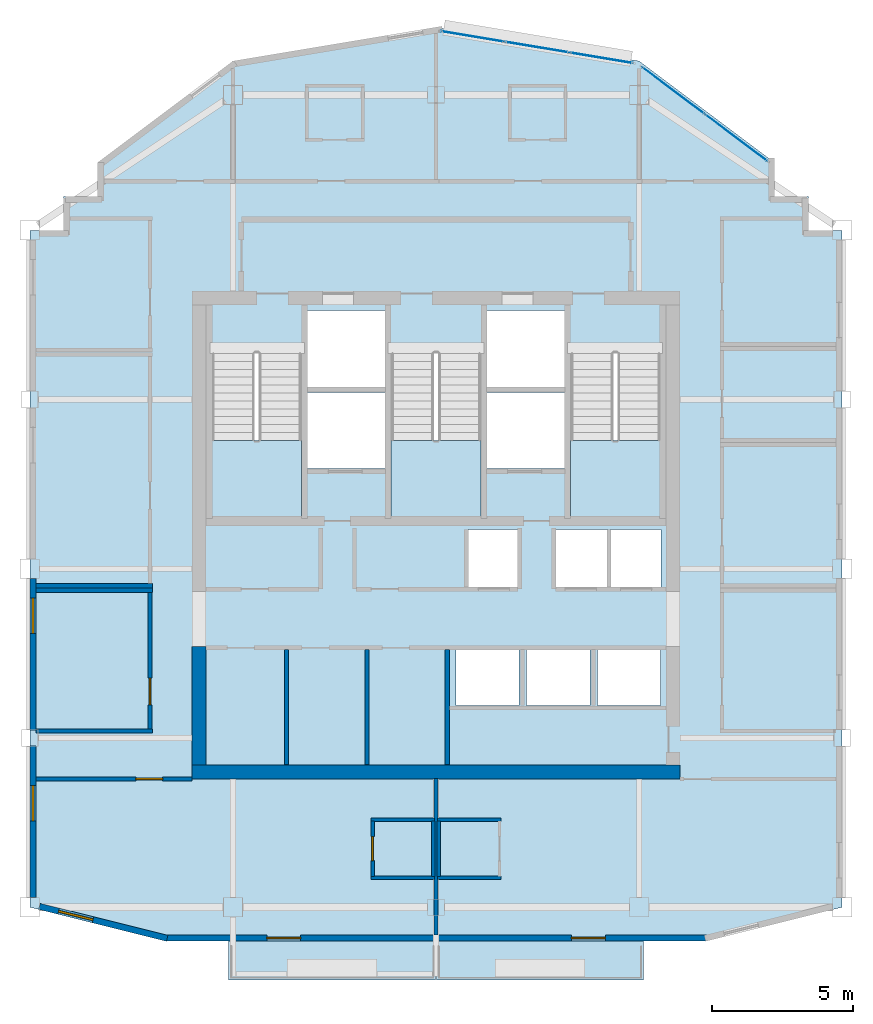
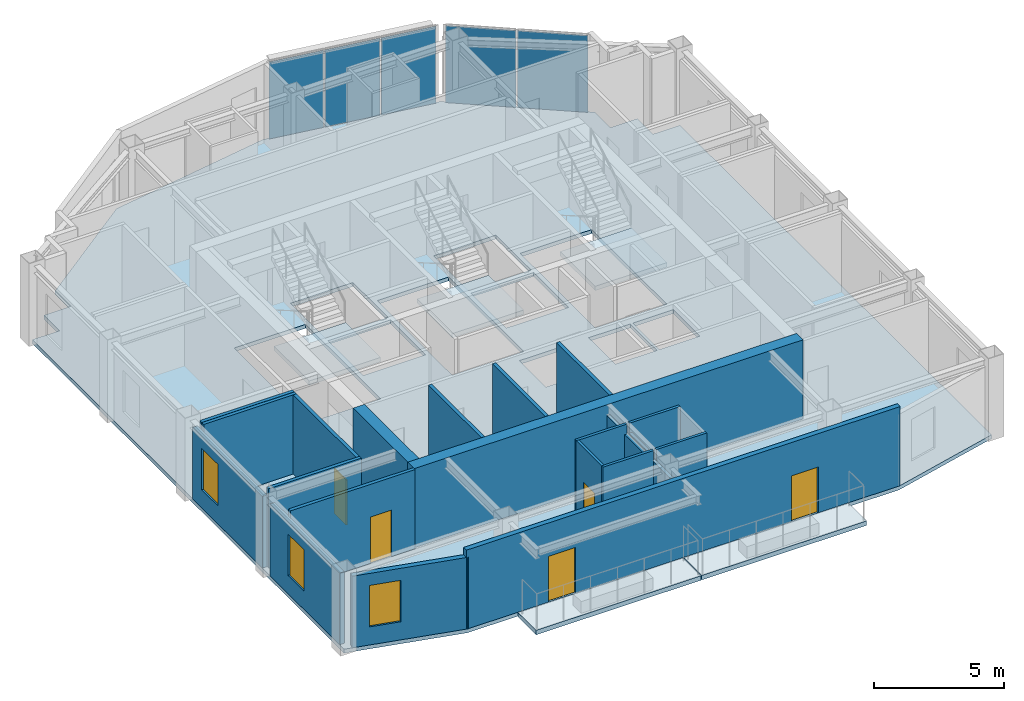
# One storey, part 4 of 10: 22 walls, 6 slabs, 5 doors, 5 plates, 3 windows, 8 openings, 5 elements without a shape of their own.
"""IFC4 building model written with IfcOpenShell, lengths in metres."""

from ifc_helpers import new_model, si_unit, direction, frame, frame_2d, origin, origin_2d, place, context, subcontext, project, spatial, polyline, rectangle, outline, extrude, material, layer, layer_set, type_object, element, fill, aggregate, save


model = new_model("IFC4")

# Units and contexts
model_context = context("Model", 3, precision=1e-05, world=origin(), true_north=direction((0.0, 1.0)))
body_context = subcontext(model_context, "Body", "Model", "MODEL_VIEW")
ifc_project = project(units=[si_unit("LENGTHUNIT", "METRE"), si_unit("AREAUNIT", "SQUARE_METRE"), si_unit("VOLUMEUNIT", "CUBIC_METRE"), si_unit("PLANEANGLEUNIT", "RADIAN"), si_unit("MASSUNIT", "GRAM", prefix="KILO")], contexts=[model_context])

# Site, building, storey
site_placement = place(None, origin())
site = spatial("IfcSite", under=ifc_project, at=site_placement, CompositionType="ELEMENT")
building_placement = place(site_placement, origin())
building = spatial("IfcBuilding", under=site, at=building_placement, Name="Haolan Belvedere Tower", CompositionType="ELEMENT")
storey_placement = place(building_placement, frame((0.0, 0.0, 286.10009765625)))
storey = spatial("IfcBuildingStorey", under=building, at=storey_placement, Name="L72", CompositionType="ELEMENT", Elevation=286.10009765625)

# Curtain wall, plates
ifc_material_1 = material(Name="Anodised champagne-silver aluminium 6063-T6 and Low-E glass", Category="aluminium")
ifc_layer_1 = layer(ifc_material_1, 0.14501953125, Name="Anodised champagne-silver aluminium 6063-T6 and Low-E glass")
ifc_layer_set_1 = layer_set([ifc_layer_1], Name="Anodised champagne-silver aluminium 6063-T6 and Low-E glass")
curtain_wall_type = type_object("IfcCurtainWallType", Name="CW-SYS-05", PredefinedType="NOTDEFINED", material=ifc_layer_set_1)
curtain_wall_1_placement = place(storey_placement, origin())
curtain_wall_1 = element("IfcCurtainWall", 1, at=curtain_wall_1_placement, inside=storey, type_object=curtain_wall_type, Name="L72 CW-SYS-05 ribbon curtain wall 8.1", PredefinedType="NOTDEFINED")
ifc_material_2 = material(Name="Double silver Low-E laminated insulating glass", Category="glass")
ifc_layer_2 = layer(ifc_material_2, 0.02197265625, Name="Double silver Low-E laminated insulating glass")
ifc_layer_set_2 = layer_set([ifc_layer_2], Name="Double silver Low-E laminated insulating glass")
plate_type = type_object("IfcPlateType", Name="CW-SYS-05-PNL", PredefinedType="CURTAIN_PANEL", material=ifc_layer_set_2)
plate_1_placement = place(storey_placement, frame((49.03955078125, 48.8828125, 0.0498046875), z_axis=(0.0, 0.0, 1.0), x_axis=(-0.799997871638, 0.600002837806, 0.0)))
plate_1 = element("IfcPlate", 2, at=plate_1_placement, type_object=plate_type, Name="CW-05 panel 1.1", PredefinedType="CURTAIN_PANEL", context=body_context, shape_type="SweptSolid", body=[
    extrude(rectangle(XDim=2.738037109375, YDim=0.02197265625, at=origin_2d()), origin(), (0.0, 0.0, 1.0), 3.6201171875),
])
plate_2_placement = place(storey_placement, frame((46.805908203125, 50.55810546875, 0.0498046875), z_axis=(0.0, 0.0, 1.0), x_axis=(-0.799997871638, 0.600002837806, 0.0)))
plate_2 = element("IfcPlate", 3, at=plate_2_placement, type_object=plate_type, Name="CW-05 panel 2.1", PredefinedType="CURTAIN_PANEL", context=body_context, shape_type="SweptSolid", body=[
    extrude(rectangle(XDim=2.738037109375, YDim=0.02197265625, at=origin_2d()), origin(), (0.0, 0.0, 1.0), 3.6201171875),
])
aggregate(curtain_wall_1, [plate_1, plate_2])

curtain_wall_2_placement = place(storey_placement, origin())
curtain_wall_2 = element("IfcCurtainWall", 4, at=curtain_wall_2_placement, inside=storey, type_object=curtain_wall_type, Name="L72 CW-SYS-05 ribbon curtain wall 9.1", PredefinedType="NOTDEFINED")
plate_3_placement = place(storey_placement, frame((44.257568359375, 51.712158203125, 0.0498046875), z_axis=(0.0, 0.0, 1.0), x_axis=(-0.98639276122, 0.164405962825, 0.0)))
plate_3 = element("IfcPlate", 5, at=plate_3_placement, type_object=plate_type, Name="CW-05 panel 1.1", PredefinedType="CURTAIN_PANEL", context=body_context, shape_type="SweptSolid", body=[
    extrude(rectangle(XDim=2.24365234375, YDim=0.02197265625, at=origin_2d()), origin(), (0.0, 0.0, 1.0), 3.6201171875),
])
plate_4_placement = place(storey_placement, frame((41.977783203125, 52.09228515625, 0.0498046875), z_axis=(0.0, 0.0, 1.0), x_axis=(-0.98639276122, 0.164405962825, 0.0)))
plate_4 = element("IfcPlate", 6, at=plate_4_placement, type_object=plate_type, Name="CW-05 panel 2.1", PredefinedType="CURTAIN_PANEL", context=body_context, shape_type="SweptSolid", body=[
    extrude(rectangle(XDim=2.270751953125, YDim=0.02197265625, at=origin_2d()), origin(), (0.0, 0.0, 1.0), 3.6201171875),
])
plate_5_placement = place(storey_placement, frame((39.697998046875, 52.47216796875, 0.0498046875), z_axis=(0.0, 0.0, 1.0), x_axis=(-0.98639276122, 0.164405962825, 0.0)))
plate_5 = element("IfcPlate", 7, at=plate_5_placement, type_object=plate_type, Name="CW-05 panel 3.1", PredefinedType="CURTAIN_PANEL", context=body_context, shape_type="SweptSolid", body=[
    extrude(rectangle(XDim=2.24365234375, YDim=0.02197265625, at=origin_2d()), origin(), (0.0, 0.0, 1.0), 3.6201171875),
])
aggregate(curtain_wall_2, [plate_3, plate_4, plate_5])

# Slabs
ifc_material_3 = material(Name="Concrete C40/50", Category="concrete")
ifc_layer_3 = layer(ifc_material_3, 0.2099609375, Name="Concrete C40/50")
ifc_layer_set_3 = layer_set([ifc_layer_3], Name="Concrete C40/50")
slab_type_1 = type_object("IfcSlabType", Name="SL-BAL-210", PredefinedType="FLOOR", material=ifc_layer_set_3)
slab_1_placement = place(storey_placement, frame((0.0, 0.0, -0.22998046875)))
element("IfcSlab", 8, at=slab_1_placement, inside=storey, type_object=slab_type_1, Name="L72 structural tree-planter balcony slab BAL-L72-S1", PredefinedType="FLOOR", context=body_context, shape_type="SweptSolid", body=[
    extrude(outline(polyline([(31.050048828125, 19.02001953125), (38.3798828125, 19.02001953125), (38.3798828125, 20.39990234375), (31.050048828125, 20.39990234375), (31.050048828125, 19.02001953125)])), origin(), (0.0, 0.0, 1.0), 0.2099609375),
])
slab_2_placement = place(storey_placement, frame((0.0, 0.0, -0.22998046875)))
element("IfcSlab", 9, at=slab_2_placement, inside=storey, type_object=slab_type_1, Name="L72 structural tree-planter balcony slab BAL-L72-S2", PredefinedType="FLOOR", context=body_context, shape_type="SweptSolid", body=[
    extrude(outline(polyline([(38.419921875, 19.02001953125), (45.75, 19.02001953125), (45.75, 20.39990234375), (38.419921875, 20.39990234375), (38.419921875, 19.02001953125)])), origin(), (0.0, 0.0, 1.0), 0.2099609375),
])
ifc_layer_4 = layer(ifc_material_3, 0.179931640625, Name="Concrete C40/50")
ifc_layer_set_4 = layer_set([ifc_layer_4], Name="Concrete C40/50")
slab_type_2 = type_object("IfcSlabType", Name="SL-FLR-180", PredefinedType="FLOOR", material=ifc_layer_set_4)
slab_3_placement = place(storey_placement, frame((0.0, 0.0, -0.18017578125)))
element("IfcSlab", 10, at=slab_3_placement, inside=storey, type_object=slab_type_2, Name="L72 structural floor slab", PredefinedType="FLOOR", context=body_context, shape_type="SweptSolid", body=[
    extrude(outline(polyline([(24.0, 21.60009765625), (28.800048828125, 20.39990234375), (48.0, 20.39990234375), (52.800048828125, 21.60009765625), (52.800048828125, 45.60009765625), (52.800048828125, 45.60009765625), (51.60009765625, 45.60009765625), (51.60009765625, 46.800048828125), (50.39990234375, 46.800048828125), (50.39990234375, 48.0), (45.60009765625, 51.60009765625), (38.39990234375, 52.800048828125), (31.199951171875, 51.60009765625), (26.39990234375, 48.0), (26.39990234375, 46.800048828125), (25.199951171875, 46.800048828125), (25.199951171875, 45.60009765625), (24.0, 45.60009765625), (24.0, 45.60009765625), (24.0, 21.60009765625)]), holes=[polyline([(30.449951171875, 41.22998046875), (30.449951171875, 35.449951171875), (33.6298828125, 35.449951171875), (33.6298828125, 41.22998046875), (30.449951171875, 41.22998046875)]), polyline([(36.81005859375, 41.22998046875), (36.81005859375, 35.449951171875), (39.989990234375, 35.449951171875), (39.989990234375, 41.22998046875), (36.81005859375, 41.22998046875)]), polyline([(43.169921875, 41.22998046875), (43.169921875, 35.449951171875), (46.35009765625, 35.449951171875), (46.35009765625, 41.22998046875), (43.169921875, 41.22998046875)]), polyline([(33.830078125, 40.050048828125), (36.610107421875, 40.050048828125), (36.610107421875, 42.75), (33.830078125, 42.75), (33.830078125, 40.050048828125)]), polyline([(33.830078125, 37.14990234375), (36.610107421875, 37.14990234375), (36.610107421875, 39.85009765625), (33.830078125, 39.85009765625), (33.830078125, 37.14990234375)]), polyline([(40.18994140625, 40.050048828125), (42.969970703125, 40.050048828125), (42.969970703125, 42.75), (40.18994140625, 42.75), (40.18994140625, 40.050048828125)]), polyline([(40.18994140625, 37.14990234375), (42.969970703125, 37.14990234375), (42.969970703125, 39.85009765625), (40.18994140625, 39.85009765625), (40.18994140625, 37.14990234375)]), polyline([(39.5400390625, 32.949951171875), (41.389892578125, 32.949951171875), (41.389892578125, 35.0), (39.5400390625, 35.0), (39.5400390625, 32.949951171875)]), polyline([(42.6201171875, 32.949951171875), (44.469970703125, 32.949951171875), (44.469970703125, 35.0), (42.6201171875, 35.0), (42.6201171875, 32.949951171875)]), polyline([(44.580078125, 32.949951171875), (46.3798828125, 32.949951171875), (46.3798828125, 35.0), (44.580078125, 35.0), (44.580078125, 32.949951171875)]), polyline([(39.10009765625, 28.75), (41.340087890625, 28.75), (41.340087890625, 30.75), (39.10009765625, 30.75), (39.10009765625, 28.75)]), polyline([(41.610107421875, 28.75), (43.85009765625, 28.75), (43.85009765625, 30.75), (41.610107421875, 30.75), (41.610107421875, 28.75)]), polyline([(44.1201171875, 28.75), (46.360107421875, 28.75), (46.360107421875, 30.75), (44.1201171875, 30.75), (44.1201171875, 28.75)])]), origin(), (0.0, 0.0, 1.0), 0.18017578125),
])

# Stair, slab
stair_type = type_object("IfcStairType", Name="STR-DL-24R-162", PredefinedType="HALF_TURN_STAIR", material=ifc_material_3)
stair_1_placement = place(storey_placement, origin())
stair_1 = element("IfcStair", 11, at=stair_1_placement, inside=storey, type_object=stair_type, Name="L72 Smokeproof Core Exit Stair ST1", PredefinedType="HALF_TURN_STAIR")
ifc_layer_5 = layer(ifc_material_3, 0.199951171875, Name="Concrete C40/50")
ifc_layer_set_5 = layer_set([ifc_layer_5], Name="Concrete C40/50")
slab_type_3 = type_object("IfcSlabType", Name="SL-LAND-200", PredefinedType="LANDING", material=ifc_layer_set_5)
slab_4_placement = place(storey_placement, frame((0.0, 0.0, 1.75)))
slab_4 = element("IfcSlab", 12, at=slab_4_placement, type_object=slab_type_3, Name="ST1 landing 1", PredefinedType="LANDING", context=body_context, shape_type="SweptSolid", body=[
    extrude(outline(polyline([(30.449951171875, 38.14990234375), (30.449951171875, 35.449951171875), (33.6298828125, 35.449951171875), (33.6298828125, 38.14990234375), (30.449951171875, 38.14990234375)])), origin(), (0.0, 0.0, 1.0), 0.199951171875),
])
aggregate(stair_1, [slab_4])

stair_2_placement = place(storey_placement, origin())
stair_2 = element("IfcStair", 13, at=stair_2_placement, inside=storey, type_object=stair_type, Name="L72 Smokeproof Core Exit Stair ST3", PredefinedType="HALF_TURN_STAIR")
slab_5_placement = place(storey_placement, frame((0.0, 0.0, 1.75)))
slab_5 = element("IfcSlab", 14, at=slab_5_placement, type_object=slab_type_3, Name="ST3 landing 1", PredefinedType="LANDING", context=body_context, shape_type="SweptSolid", body=[
    extrude(outline(polyline([(36.81005859375, 38.14990234375), (36.81005859375, 35.449951171875), (39.989990234375, 35.449951171875), (39.989990234375, 38.14990234375), (36.81005859375, 38.14990234375)])), origin(), (0.0, 0.0, 1.0), 0.199951171875),
])
aggregate(stair_2, [slab_5])

stair_3_placement = place(storey_placement, origin())
stair_3 = element("IfcStair", 15, at=stair_3_placement, inside=storey, type_object=stair_type, Name="L72 Smokeproof Core Exit Stair ST2", PredefinedType="HALF_TURN_STAIR")
slab_6_placement = place(storey_placement, frame((0.0, 0.0, 1.75)))
slab_6 = element("IfcSlab", 16, at=slab_6_placement, type_object=slab_type_3, Name="ST2 landing 1", PredefinedType="LANDING", context=body_context, shape_type="SweptSolid", body=[
    extrude(outline(polyline([(43.169921875, 38.14990234375), (43.169921875, 35.449951171875), (46.35009765625, 35.449951171875), (46.35009765625, 38.14990234375), (43.169921875, 38.14990234375)])), origin(), (0.0, 0.0, 1.0), 0.199951171875),
])
aggregate(stair_3, [slab_6])

# Walls
ifc_material_4 = material(Name="Concrete C50/60", Category="concrete")
ifc_layer_6 = layer(ifc_material_4, 0.5, Name="Concrete C50/60")
ifc_layer_set_6 = layer_set([ifc_layer_6], Name="Concrete C50/60")
wall_type_1 = type_object("IfcWallType", Name="WL-CORE-500", PredefinedType="SHEAR", material=ifc_layer_set_6)
wall_1_placement = place(storey_placement, frame((29.75, 26.39990234375, 0.0), z_axis=(0.0, 0.0, 1.0), x_axis=(1.0, 0.0, 0.0)))
element("IfcWall", 17, at=wall_1_placement, inside=storey, type_object=wall_type_1, Name="L72 central core south shear wall", PredefinedType="SHEAR", context=body_context, shape_type="SweptSolid", body=[
    extrude(rectangle(XDim=17.300048828125, YDim=0.5, at=frame_2d((8.64990234375, 0.0))), origin(), (0.0, 0.0, 1.0), 3.719970703125),
])
wall_2_placement = place(storey_placement, frame((30.0, 26.64990234375, 0.0), z_axis=(0.0, 0.0, 1.0), x_axis=(0.0, 1.0, 0.0)))
element("IfcWall", 18, at=wall_2_placement, inside=storey, type_object=wall_type_1, Name="L72 central core shear wall WS", PredefinedType="SHEAR", context=body_context, shape_type="SweptSolid", body=[
    extrude(rectangle(XDim=4.2001953125, YDim=0.5, at=frame_2d((2.10009765625, 0.0))), origin(), (0.0, 0.0, 1.0), 3.719970703125),
])

# Wall, openings, doors
ifc_material_5 = material(Name="Precast concrete C40/50", Category="concrete")
ifc_layer_7 = layer(ifc_material_5, 0.219970703125, Name="Precast concrete C40/50")
ifc_layer_set_7 = layer_set([ifc_layer_7], Name="Precast concrete C40/50")
wall_type_2 = type_object("IfcWallType", Name="WL-EXT-220", PredefinedType="SOLIDWALL", material=ifc_layer_set_7)
wall_3_placement = place(storey_placement, frame((28.758544921875, 20.510009765625, 0.0), z_axis=(0.0, 0.0, 1.0), x_axis=(1.0, 0.0, 0.0)))
wall_3 = element("IfcWall", 19, at=wall_3_placement, inside=storey, type_object=wall_type_2, Name="L72 pale-metal exterior spandrel wall 1.1", PredefinedType="SOLIDWALL", context=body_context, shape_type="SweptSolid", body=[
    extrude(rectangle(XDim=19.282958984375, YDim=0.219970703125, at=frame_2d((9.6416015625, 0.0))), origin(), (0.0, 0.0, 1.0), 3.719970703125),
])
opening_1_placement = place(wall_3_placement, frame((4.841552734375, 0.0, 0.0), z_axis=(0.0, 0.0, 1.0), x_axis=(-1.0, 0.0, 0.0)))
opening_1 = element("IfcOpeningElement", 20, at=opening_1_placement, cuts=wall_3, Name="Opening BD-01", PredefinedType="OPENING", context=body_context, shape_type="SweptSolid", body=[
    extrude(rectangle(XDim=1.199951171875, YDim=2.14990234375, at=frame_2d((0.60009765625, 1.074951171875))), frame((0.0, 0.119873046875, 0.0), z_axis=(0.0, -1.0, 0.0), x_axis=(1.0, 0.0, 0.0)), (0.0, 0.0, 1.0), 0.239990234375),
])
opening_2_placement = place(wall_3_placement, frame((15.641357421875, 0.0, 0.0), z_axis=(0.0, 0.0, 1.0), x_axis=(-1.0, 0.0, 0.0)))
opening_2 = element("IfcOpeningElement", 21, at=opening_2_placement, cuts=wall_3, Name="Opening BD-01", PredefinedType="OPENING", context=body_context, shape_type="SweptSolid", body=[
    extrude(rectangle(XDim=1.199951171875, YDim=2.14990234375, at=frame_2d((0.60009765625, 1.074951171875))), frame((0.0, 0.119873046875, 0.0), z_axis=(0.0, -1.0, 0.0), x_axis=(1.0, 0.0, 0.0)), (0.0, 0.0, 1.0), 0.239990234375),
])
ifc_material_6 = material(Name="Thermally broken pale-metal aluminium and Low-E glass", Category="aluminium")
door_type_1 = type_object("IfcDoorType", Name="DR-BAL-1200", OperationType="NOTDEFINED", PredefinedType="DOOR", material=ifc_material_6)
door_1_placement = place(opening_1_placement, origin())
door_1 = element("IfcDoor", 22, at=door_1_placement, inside=storey, type_object=door_type_1, Name="L72 tree-balcony access door 1", OperationType="SINGLE_SWING_RIGHT", OverallHeight=2.14990234375, OverallWidth=1.199951171875, PredefinedType="DOOR", context=body_context, shape_type="SweptSolid", body=[
    extrude(rectangle(XDim=1.199951171875, YDim=2.14990234375, at=frame_2d((0.60009765625, 1.074951171875))), frame((0.0, 0.02490234375, 0.0), z_axis=(0.0, -1.0, 0.0), x_axis=(1.0, 0.0, 0.0)), (0.0, 0.0, 1.0), 0.050048828125),
])
fill(opening_1, door_1)
door_2_placement = place(opening_2_placement, origin())
door_2 = element("IfcDoor", 23, at=door_2_placement, inside=storey, type_object=door_type_1, Name="L72 tree-balcony access door 2", OperationType="SINGLE_SWING_LEFT", OverallHeight=2.14990234375, OverallWidth=1.199951171875, PredefinedType="DOOR", context=body_context, shape_type="SweptSolid", body=[
    extrude(rectangle(XDim=1.199951171875, YDim=2.14990234375, at=frame_2d((0.60009765625, 1.074951171875))), frame((0.0, 0.02490234375, 0.0), z_axis=(0.0, -1.0, 0.0), x_axis=(1.0, 0.0, 0.0)), (0.0, 0.0, 1.0), 0.050048828125),
])
fill(opening_2, door_2)

# Wall, opening, window
wall_4_placement = place(storey_placement, frame((24.110107421875, 33.258056640625, 0.0), z_axis=(0.0, 0.0, 1.0), x_axis=(0.0, -1.0, 0.0)))
wall_4 = element("IfcWall", 24, at=wall_4_placement, inside=storey, type_object=wall_type_2, Name="L72 pale-metal exterior spandrel wall 16.3", PredefinedType="SOLIDWALL", context=body_context, shape_type="SweptSolid", body=[
    extrude(rectangle(XDim=5.365966796875, YDim=0.219970703125, at=frame_2d((2.68310546875, 0.0))), origin(), (0.0, 0.0, 1.0), 3.364990234375),
])
opening_3_placement = place(wall_4_placement, frame((0.699951171875, 0.0, 0.85009765625)))
opening_3 = element("IfcOpeningElement", 25, at=opening_3_placement, cuts=wall_4, Name="Opening W-04", PredefinedType="OPENING", context=body_context, shape_type="SweptSolid", body=[
    extrude(rectangle(XDim=1.25, YDim=1.949951171875, at=frame_2d((0.625, 0.97509765625))), frame((0.0, 0.119873046875, 0.0), z_axis=(0.0, -1.0, 0.0), x_axis=(1.0, 0.0, 0.0)), (0.0, 0.0, 1.0), 0.239990234375),
])
ifc_material_7 = material(Name="Anodised aluminium 6063-T6 and Low-E glass", Category="aluminium")
window_type = type_object("IfcWindowType", Name="WN-DECO-Z4", PartitioningType="SINGLE_PANEL", PredefinedType="WINDOW", material=ifc_material_7)
window_1_placement = place(opening_3_placement, origin())
window_1 = element("IfcWindow", 26, at=window_1_placement, inside=storey, type_object=window_type, Name="L72 Art Deco chevron window 1", OverallHeight=1.949951171875, OverallWidth=1.25, PartitioningType="SINGLE_PANEL", PredefinedType="WINDOW", context=body_context, shape_type="SweptSolid", body=[
    extrude(rectangle(XDim=1.25, YDim=1.949951171875, at=frame_2d((0.625, 0.97509765625))), frame((0.0, 0.030029296875, 0.0), z_axis=(0.0, -1.0, 0.0), x_axis=(1.0, 0.0, 0.0)), (0.0, 0.0, 1.0), 0.06005859375),
])
fill(opening_3, window_1)

wall_5_placement = place(storey_placement, frame((24.110107421875, 27.30810546875, 0.0), z_axis=(0.0, 0.0, 1.0), x_axis=(0.0, -1.0, 0.0)))
wall_5 = element("IfcWall", 27, at=wall_5_placement, inside=storey, type_object=wall_type_2, Name="L72 pale-metal exterior spandrel wall 16.4", PredefinedType="SOLIDWALL", context=body_context, shape_type="SweptSolid", body=[
    extrude(rectangle(XDim=5.3662109375, YDim=0.219970703125, at=frame_2d((2.68310546875, 0.0))), origin(), (0.0, 0.0, 1.0), 3.364990234375),
])
opening_4_placement = place(wall_5_placement, frame((1.39306640625, 0.0, 0.85009765625)))
opening_4 = element("IfcOpeningElement", 28, at=opening_4_placement, cuts=wall_5, Name="Opening W-04", PredefinedType="OPENING", context=body_context, shape_type="SweptSolid", body=[
    extrude(rectangle(XDim=1.25, YDim=1.949951171875, at=frame_2d((0.625, 0.97509765625))), frame((0.0, 0.119873046875, 0.0), z_axis=(0.0, -1.0, 0.0), x_axis=(1.0, 0.0, 0.0)), (0.0, 0.0, 1.0), 0.239990234375),
])
window_2_placement = place(opening_4_placement, origin())
window_2 = element("IfcWindow", 29, at=window_2_placement, inside=storey, type_object=window_type, Name="L72 Art Deco chevron window 1", OverallHeight=1.949951171875, OverallWidth=1.25, PartitioningType="SINGLE_PANEL", PredefinedType="WINDOW", context=body_context, shape_type="SweptSolid", body=[
    extrude(rectangle(XDim=1.25, YDim=1.949951171875, at=frame_2d((0.625, 0.97509765625))), frame((0.0, 0.030029296875, 0.0), z_axis=(0.0, -1.0, 0.0), x_axis=(1.0, 0.0, 0.0)), (0.0, 0.0, 1.0), 0.06005859375),
])
fill(opening_4, window_2)

wall_6_placement = place(storey_placement, frame((24.342041015625, 21.6279296875, 0.0), z_axis=(0.0, 0.0, 1.0), x_axis=(0.970136341762, -0.242560257242, 0.0)))
wall_6 = element("IfcWall", 30, at=wall_6_placement, inside=storey, type_object=wall_type_2, Name="L72 pale-metal exterior spandrel wall 17.1", PredefinedType="SOLIDWALL", context=body_context, shape_type="SweptSolid", body=[
    extrude(rectangle(XDim=4.664306640625, YDim=0.219970703125, at=frame_2d((2.33203125, 0.0))), origin(), (0.0, 0.0, 1.0), 3.364990234375),
])
opening_5_placement = place(wall_6_placement, frame((0.699951171875, 0.0, 0.85009765625)))
opening_5 = element("IfcOpeningElement", 31, at=opening_5_placement, cuts=wall_6, Name="Opening W-04", PredefinedType="OPENING", context=body_context, shape_type="SweptSolid", body=[
    extrude(rectangle(XDim=1.25, YDim=1.949951171875, at=frame_2d((0.625, 0.97509765625))), frame((0.0, 0.119873046875, 0.0), z_axis=(0.0, -1.0, 0.0), x_axis=(1.0, 0.0, 0.0)), (0.0, 0.0, 1.0), 0.239990234375),
])
window_3_placement = place(opening_5_placement, origin())
window_3 = element("IfcWindow", 32, at=window_3_placement, inside=storey, type_object=window_type, Name="L72 Art Deco chevron window 1", OverallHeight=1.949951171875, OverallWidth=1.25, PartitioningType="SINGLE_PANEL", PredefinedType="WINDOW", context=body_context, shape_type="SweptSolid", body=[
    extrude(rectangle(XDim=1.25, YDim=1.949951171875, at=frame_2d((0.625, 0.97509765625))), frame((0.0, 0.030029296875, 0.0), z_axis=(0.0, -1.0, 0.0), x_axis=(1.0, 0.0, 0.0)), (0.0, 0.0, 1.0), 0.06005859375),
])
fill(opening_5, window_3)

# Walls
ifc_material_8 = material(Name="Double gypsum acoustic stud partition", Category="masonry")
ifc_layer_8 = layer(ifc_material_8, 0.14990234375, Name="Double gypsum acoustic stud partition")
ifc_layer_set_8 = layer_set([ifc_layer_8], Name="Double gypsum acoustic stud partition")
wall_type_3 = type_object("IfcWallType", Name="WL-PART-150", PredefinedType="PARTITIONING", material=ifc_layer_set_8)
for number, where, z_axis, x_axis, name in (
    (33, (33.10009765625, 26.659912109375, 0.0), (0.0, 0.0, 1.0), (0.0, 1.0, 0.0), "L72 interior partition IW-L72-DIV-REUSE-PM1"),
    (34, (35.949951171875, 26.659912109375, 0.0), (0.0, 0.0, 1.0), (0.0, 1.0, 0.0), "L72 interior partition IW-L72-DIV-REUSE-PM2"),
):
    element("IfcWall", number, at=place(storey_placement, frame(where, z_axis=z_axis, x_axis=x_axis)), inside=storey, type_object=wall_type_3, Name=name, PredefinedType="PARTITIONING", context=body_context, shape_type="SweptSolid", body=[
        extrude(rectangle(XDim=4.0751953125, YDim=0.14990234375, at=frame_2d((2.03759765625, 0.0))), origin(), (0.0, 0.0, 1.0), 3.719970703125),
    ])
for number, where, z_axis, x_axis, name in (
    (35, (24.2119140625, 33.0, 0.0), (0.0, 0.0, 1.0), (1.0, 0.0, 0.0), "L72 interior partition IW-L72-SAL-S"),
    (36, (24.2119140625, 32.840087890625, 0.0), (0.0, 0.0, 1.0), (1.0, 0.0, 0.0), "L72 interior partition IW-L72-PKTW-N"),
    (37, (24.2119140625, 27.85009765625, 0.0), (0.0, 0.0, 1.0), (1.0, 0.0, 0.0), "L72 interior partition IW-L72-PKTW-S"),
):
    element("IfcWall", number, at=place(storey_placement, frame(where, z_axis=z_axis, x_axis=x_axis)), inside=storey, type_object=wall_type_3, Name=name, PredefinedType="PARTITIONING", context=body_context, shape_type="SweptSolid", body=[
        extrude(rectangle(XDim=4.128173828125, YDim=0.14990234375, at=frame_2d((2.06396484375, 0.0))), origin(), (0.0, 0.0, 1.0), 3.719970703125),
    ])

# Wall, opening, door
wall_7_placement = place(storey_placement, frame((28.260009765625, 27.909912109375, 0.0), z_axis=(0.0, 0.0, 1.0), x_axis=(0.0, 1.0, 0.0)))
wall_7 = element("IfcWall", 38, at=wall_7_placement, inside=storey, type_object=wall_type_3, Name="L72 interior partition IW-L72-PKTW-E", PredefinedType="PARTITIONING", context=body_context, shape_type="SweptSolid", body=[
    extrude(rectangle(XDim=4.8701171875, YDim=0.14990234375, at=frame_2d((2.43505859375, 0.0))), origin(), (0.0, 0.0, 1.0), 3.719970703125),
])
opening_6_placement = place(wall_7_placement, frame((1.81005859375, 0.0, 0.0), z_axis=(0.0, 0.0, 1.0), x_axis=(-1.0, 0.0, 0.0)))
opening_6 = element("IfcOpeningElement", 39, at=opening_6_placement, cuts=wall_7, Name="Opening ID-03", PredefinedType="OPENING", context=body_context, shape_type="SweptSolid", body=[
    extrude(rectangle(XDim=0.949951171875, YDim=2.1201171875, at=frame_2d((0.47509765625, 1.06005859375))), frame((0.0, 0.0849609375, 0.0), z_axis=(0.0, -1.0, 0.0), x_axis=(1.0, 0.0, 0.0)), (0.0, 0.0, 1.0), 0.169921875),
])
ifc_material_9 = material(Name="Painted solid-core timber", Category="wood")
door_type_2 = type_object("IfcDoorType", Name="DR-INT-950", OperationType="NOTDEFINED", PredefinedType="DOOR", material=ifc_material_9)
door_3_placement = place(opening_6_placement, origin())
door_3 = element("IfcDoor", 40, at=door_3_placement, inside=storey, type_object=door_type_2, Name="L72 door ID-L72-PKTW", OperationType="SINGLE_SWING_LEFT", OverallHeight=2.1201171875, OverallWidth=0.949951171875, PredefinedType="DOOR", context=body_context, shape_type="SweptSolid", body=[
    extrude(rectangle(XDim=0.949951171875, YDim=2.1201171875, at=frame_2d((0.47509765625, 1.06005859375))), frame((0.0, 0.02490234375, 0.0), z_axis=(0.0, -1.0, 0.0), x_axis=(1.0, 0.0, 0.0)), (0.0, 0.0, 1.0), 0.050048828125),
])
fill(opening_6, door_3)

wall_8_placement = place(storey_placement, frame((24.2119140625, 26.14990234375, 0.0), z_axis=(0.0, 0.0, 1.0), x_axis=(1.0, 0.0, 0.0)))
wall_8 = element("IfcWall", 41, at=wall_8_placement, inside=storey, type_object=wall_type_3, Name="L72 interior partition IW-L72-KS1-N", PredefinedType="PARTITIONING", context=body_context, shape_type="SweptSolid", body=[
    extrude(rectangle(XDim=5.5361328125, YDim=0.14990234375, at=frame_2d((2.76806640625, 0.0))), origin(), (0.0, 0.0, 1.0), 3.719970703125),
])
opening_7_placement = place(wall_8_placement, frame((4.494873046875, 0.0, 0.0), z_axis=(0.0, 0.0, 1.0), x_axis=(-1.0, 0.0, 0.0)))
opening_7 = element("IfcOpeningElement", 42, at=opening_7_placement, cuts=wall_8, Name="Opening ID-01", PredefinedType="OPENING", context=body_context, shape_type="SweptSolid", body=[
    extrude(rectangle(XDim=0.949951171875, YDim=2.179931640625, at=frame_2d((0.47509765625, 1.08984375))), frame((0.0, 0.0849609375, 0.0), z_axis=(0.0, -1.0, 0.0), x_axis=(1.0, 0.0, 0.0)), (0.0, 0.0, 1.0), 0.169921875),
])
ifc_material_10 = material(Name="Acoustic walnut veneer fire-rated timber", Category="wood")
door_type_3 = type_object("IfcDoorType", Name="DR-SUITE-950", OperationType="NOTDEFINED", PredefinedType="DOOR", material=ifc_material_10)
door_4_placement = place(opening_7_placement, origin())
door_4 = element("IfcDoor", 43, at=door_4_placement, inside=storey, type_object=door_type_3, Name="L72 door ID-L72-KS1-ENT", OperationType="SINGLE_SWING_RIGHT", OverallHeight=2.179931640625, OverallWidth=0.949951171875, PredefinedType="DOOR", context=body_context, shape_type="SweptSolid", body=[
    extrude(rectangle(XDim=0.949951171875, YDim=2.179931640625, at=frame_2d((0.47509765625, 1.08984375))), frame((0.0, 0.02490234375, 0.0), z_axis=(0.0, -1.0, 0.0), x_axis=(1.0, 0.0, 0.0)), (0.0, 0.0, 1.0), 0.050048828125),
])
fill(opening_7, door_4)

# Walls
wall_9_placement = place(storey_placement, frame((38.39990234375, 20.612060546875, 0.0), z_axis=(0.0, 0.0, 1.0), x_axis=(0.0, 1.0, 0.0)))
element("IfcWall", 44, at=wall_9_placement, inside=storey, type_object=wall_type_3, Name="L72 interior partition IW-L72-KS1-E", PredefinedType="PARTITIONING", context=body_context, shape_type="SweptSolid", body=[
    extrude(rectangle(XDim=5.552978515625, YDim=0.14990234375, at=frame_2d((2.7763671875, 0.0))), origin(), (0.0, 0.0, 1.0), 3.204833984375),
])
ifc_material_11 = material(Name="Gypsum fire shaftwall assembly", Category="masonry")
ifc_layer_9 = layer(ifc_material_11, 0.1650390625, Name="Gypsum fire shaftwall assembly")
ifc_layer_set_9 = layer_set([ifc_layer_9], Name="Gypsum fire shaftwall assembly")
wall_type_4 = type_object("IfcWallType", Name="WL-SHAFT-160", PredefinedType="SOLIDWALL", material=ifc_layer_set_9)
wall_10_placement = place(storey_placement, frame((38.800048828125, 26.659912109375, 0.0), z_axis=(0.0, 0.0, 1.0), x_axis=(0.0, 1.0, 0.0)))
element("IfcWall", 45, at=wall_10_placement, inside=storey, type_object=wall_type_4, Name="L72 interior partition IW-L72-DIV-PM-OB", PredefinedType="SOLIDWALL", context=body_context, shape_type="SweptSolid", body=[
    extrude(rectangle(XDim=4.0751953125, YDim=0.14990234375, at=frame_2d((2.03759765625, 0.0))), origin(), (0.0, 0.0, 1.0), 3.719970703125),
])
ifc_material_12 = material(Name="Moisture-resistant gypsum tile partition", Category="masonry")
ifc_layer_10 = layer(ifc_material_12, 0.1201171875, Name="Moisture-resistant gypsum tile partition")
ifc_layer_set_10 = layer_set([ifc_layer_10], Name="Moisture-resistant gypsum tile partition")
wall_type_5 = type_object("IfcWallType", Name="WL-WET-120", PredefinedType="PARTITIONING", material=ifc_layer_set_10)
for number, where, z_axis, x_axis, name in (
    (46, (36.090087890625, 24.699951171875, 0.0), (0.0, 0.0, 1.0), (1.0, 0.0, 0.0), "L72 interior partition IW-L72-KS1-BN"),
    (47, (36.090087890625, 22.64990234375, 0.0), (0.0, 0.0, 1.0), (1.0, 0.0, 0.0), "L72 interior partition IW-L72-KS1-BS"),
):
    element("IfcWall", number, at=place(storey_placement, frame(where, z_axis=z_axis, x_axis=x_axis)), inside=storey, type_object=wall_type_5, Name=name, PredefinedType="PARTITIONING", context=body_context, shape_type="SweptSolid", body=[
        extrude(rectangle(XDim=2.25, YDim=0.1201171875, at=frame_2d((1.125, 0.0))), origin(), (0.0, 0.0, 1.0), 3.719970703125),
    ])

# Wall, opening, door
wall_11_placement = place(storey_placement, frame((36.14990234375, 22.695068359375, 0.0), z_axis=(0.0, 0.0, 1.0), x_axis=(0.0, 1.0, 0.0)))
wall_11 = element("IfcWall", 48, at=wall_11_placement, inside=storey, type_object=wall_type_5, Name="L72 interior partition IW-L72-KS1-BW", PredefinedType="PARTITIONING", context=body_context, shape_type="SweptSolid", body=[
    extrude(rectangle(XDim=1.9599609375, YDim=0.1201171875, at=frame_2d((0.97998046875, 0.0))), origin(), (0.0, 0.0, 1.0), 3.719970703125),
])
opening_8_placement = place(wall_11_placement, frame((1.405029296875, 0.0, 0.0), z_axis=(0.0, 0.0, 1.0), x_axis=(-1.0, 0.0, 0.0)))
opening_8 = element("IfcOpeningElement", 49, at=opening_8_placement, cuts=wall_11, Name="Opening ID-05", PredefinedType="OPENING", context=body_context, shape_type="SweptSolid", body=[
    extrude(rectangle(XDim=0.85009765625, YDim=2.10009765625, at=frame_2d((0.425048828125, 1.050048828125))), frame((0.0, 0.070068359375, 0.0), z_axis=(0.0, -1.0, 0.0), x_axis=(1.0, 0.0, 0.0)), (0.0, 0.0, 1.0), 0.14013671875),
])
ifc_material_13 = material(Name="Moisture-resistant lacquered timber", Category="wood")
door_type_4 = type_object("IfcDoorType", Name="DR-BATH-850", OperationType="NOTDEFINED", PredefinedType="DOOR", material=ifc_material_13)
door_5_placement = place(opening_8_placement, origin())
door_5 = element("IfcDoor", 50, at=door_5_placement, inside=storey, type_object=door_type_4, Name="L72 door ID-L72-KS1-BATH", OperationType="SINGLE_SWING_LEFT", OverallHeight=2.10009765625, OverallWidth=0.85009765625, PredefinedType="DOOR", context=body_context, shape_type="SweptSolid", body=[
    extrude(rectangle(XDim=0.85009765625, YDim=2.10009765625, at=frame_2d((0.425048828125, 1.050048828125))), frame((0.0, 0.02490234375, 0.0), z_axis=(0.0, -1.0, 0.0), x_axis=(1.0, 0.0, 0.0)), (0.0, 0.0, 1.0), 0.050048828125),
])
fill(opening_8, door_5)

# Walls
wall_12_placement = place(storey_placement, frame((38.300048828125, 22.695068359375, 0.0), z_axis=(0.0, 0.0, 1.0), x_axis=(0.0, 1.0, 0.0)))
element("IfcWall", 51, at=wall_12_placement, inside=storey, type_object=wall_type_5, Name="L72 interior partition IW-L72-KS1-BE", PredefinedType="PARTITIONING", context=body_context, shape_type="SweptSolid", body=[
    extrude(rectangle(XDim=1.9599609375, YDim=0.1201171875, at=frame_2d((0.97998046875, 0.0))), origin(), (0.0, 0.0, 1.0), 3.2548828125),
])
for number, where, z_axis, x_axis, name in (
    (52, (38.4599609375, 24.699951171875, 0.0), (0.0, 0.0, 1.0), (1.0, 0.0, 0.0), "L72 interior partition IW-L72-KS2-BN"),
    (53, (38.4599609375, 22.64990234375, 0.0), (0.0, 0.0, 1.0), (1.0, 0.0, 0.0), "L72 interior partition IW-L72-KS2-BS"),
):
    element("IfcWall", number, at=place(storey_placement, frame(where, z_axis=z_axis, x_axis=x_axis)), inside=storey, type_object=wall_type_5, Name=name, PredefinedType="PARTITIONING", context=body_context, shape_type="SweptSolid", body=[
        extrude(rectangle(XDim=2.25, YDim=0.1201171875, at=frame_2d((1.125, 0.0))), origin(), (0.0, 0.0, 1.0), 3.719970703125),
    ])
wall_13_placement = place(storey_placement, frame((38.5, 22.695068359375, 0.0), z_axis=(0.0, 0.0, 1.0), x_axis=(0.0, 1.0, 0.0)))
element("IfcWall", 54, at=wall_13_placement, inside=storey, type_object=wall_type_5, Name="L72 interior partition IW-L72-KS2-BW", PredefinedType="PARTITIONING", context=body_context, shape_type="SweptSolid", body=[
    extrude(rectangle(XDim=1.9599609375, YDim=0.1201171875, at=frame_2d((0.97998046875, 0.0))), origin(), (0.0, 0.0, 1.0), 3.2548828125),
])

save(model, "model.ifc")
